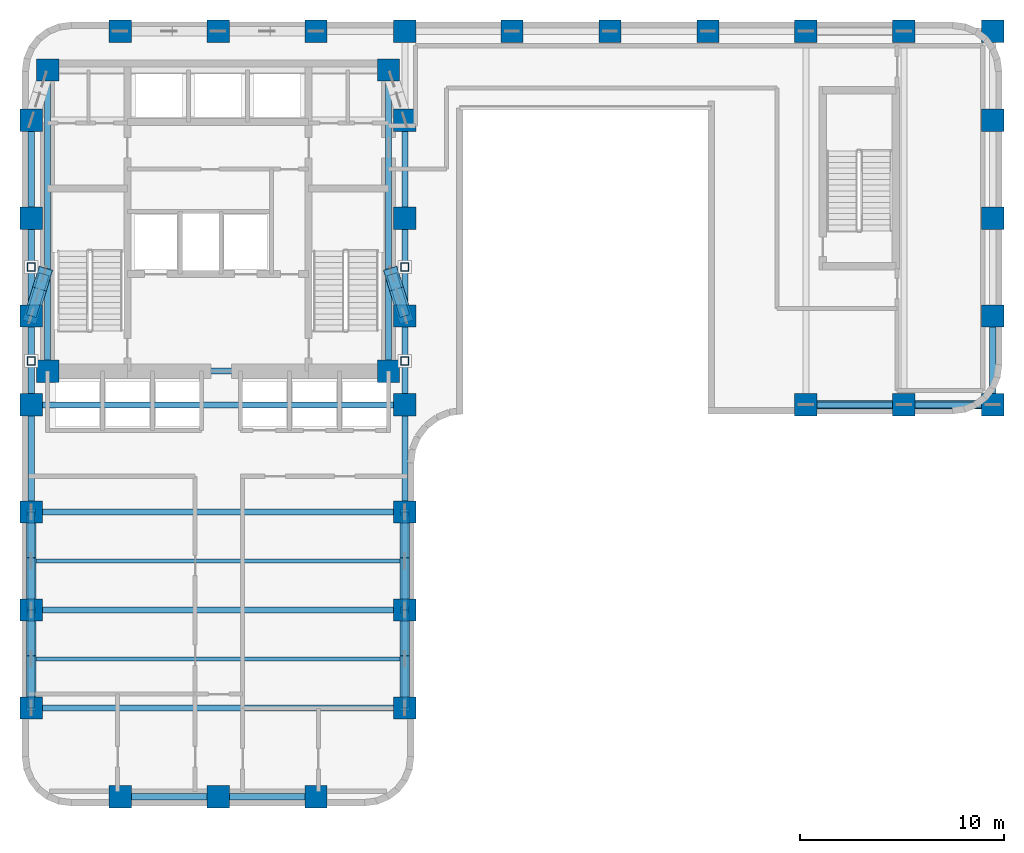
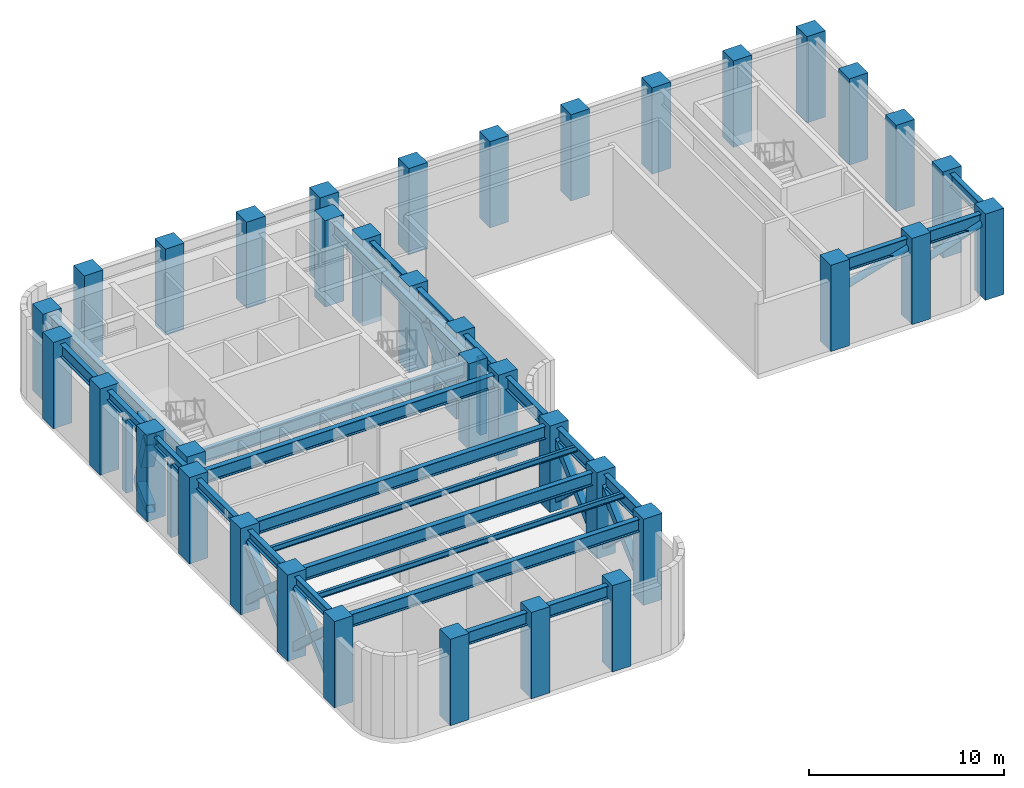
# One storey, part 1 of 9: 37 columns, 28 members, 26 beams.
"""IFC4 building model written with IfcOpenShell, lengths in metres."""

from ifc_helpers import new_model, si_unit, direction, frame, origin, origin_2d, place, context, subcontext, project, spatial, rectangle, hollow_rectangle, hollow_circle, i_section, extrude, material, material_profile, profile_set, type_object, element, save


model = new_model("IFC4")

# Units and contexts
model_context = context("Model", 3, precision=1e-05, world=origin(), true_north=direction((0.0, 1.0)))
body_context = subcontext(model_context, "Body", "Model", "MODEL_VIEW")
ifc_project = project(units=[si_unit("LENGTHUNIT", "METRE"), si_unit("AREAUNIT", "SQUARE_METRE"), si_unit("VOLUMEUNIT", "CUBIC_METRE"), si_unit("PLANEANGLEUNIT", "RADIAN"), si_unit("MASSUNIT", "GRAM", prefix="KILO")], contexts=[model_context])

# Site, building, storey
site_placement = place(None, origin())
site = spatial("IfcSite", under=ifc_project, at=site_placement, CompositionType="ELEMENT")
building_placement = place(site_placement, origin())
building = spatial("IfcBuilding", under=site, at=building_placement, Name="Orvandelia Arch Residences", CompositionType="ELEMENT")
storey_placement = place(building_placement, frame((0.0, 0.0, 101.800048828125)))
storey = spatial("IfcBuildingStorey", under=building, at=storey_placement, Name="L26", CompositionType="ELEMENT", Elevation=101.800048828125)

# Columns
ifc_material_1 = material(Name="Concrete C80/95", Category="concrete")
ifc_material_profile_1 = material_profile(ifc_material_1, rectangle(XDim=1.10009765625, YDim=1.10009765625, at=origin_2d()), Name="Concrete C80/95", Category="concrete")
ifc_profile_set_1 = profile_set([ifc_material_profile_1], Name="Concrete C80/95")
column_type = type_object("IfcColumnType", Name="COL-TWR-1100", PredefinedType="COLUMN", material=ifc_profile_set_1)
for number, where, z_axis, x_axis, name in (
    (1, (5.25, 14.39990234375, 0.0), (0.0, 0.0, 1.0), (1.0, 0.0, 0.0), "Structural Column L26-W-W-144"),
    (2, (5.25, 19.199951171875, 0.0), (0.0, 0.0, 1.0), (1.0, 0.0, 0.0), "Structural Column L26-W-W-192"),
    (3, (5.25, 24.0, 0.0), (0.0, 0.0, 1.0), (1.0, 0.0, 0.0), "Structural Column L26-W-W-240"),
    (4, (5.25, 29.25, 0.0), (0.0, 0.0, 1.0), (1.0, 0.0, 0.0), "Structural Column L26-W-W-292"),
    (5, (5.25, 33.60009765625, 0.0), (0.0, 0.0, 1.0), (1.0, 0.0, 0.0), "Structural Column L26-W-W-336"),
    (6, (5.25, 38.39990234375, 0.0), (0.0, 0.0, 1.0), (1.0, 0.0, 0.0), "Structural Column L26-W-W-384"),
    (7, (5.25, 43.199951171875, 0.0), (0.0, 0.0, 1.0), (1.0, 0.0, 0.0), "Structural Column L26-W-W-432"),
    (8, (6.050048828125, 30.89990234375, 0.0), (0.0, 0.0, 1.0), (1.0, 0.0, 0.0), "Structural Column L26-CR-SW"),
    (9, (6.050048828125, 45.64990234375, 0.0), (0.0, 0.0, 1.0), (1.0, 0.0, 0.0), "Structural Column L26-CR-NW"),
    (10, (9.60009765625, 10.050048828125, 0.0), (0.0, 0.0, 1.0), (1.0, 0.0, 0.0), "Structural Column L26-W-S-96"),
    (11, (9.60009765625, 47.550048828125, 0.0), (0.0, 0.0, 1.0), (1.0, 0.0, 0.0), "Structural Column L26-W-N-96"),
    (12, (14.39990234375, 10.050048828125, 0.0), (0.0, 0.0, 1.0), (1.0, 0.0, 0.0), "Structural Column L26-W-S-144"),
    (13, (14.39990234375, 47.550048828125, 0.0), (0.0, 0.0, 1.0), (1.0, 0.0, 0.0), "Structural Column L26-W-N-144"),
    (14, (19.199951171875, 10.050048828125, 0.0), (0.0, 0.0, 1.0), (1.0, 0.0, 0.0), "Structural Column L26-W-S-192"),
    (15, (19.199951171875, 47.550048828125, 0.0), (0.0, 0.0, 1.0), (1.0, 0.0, 0.0), "Structural Column L26-W-N-192"),
    (16, (22.75, 30.89990234375, 0.0), (0.0, 0.0, 1.0), (1.0, 0.0, 0.0), "Structural Column L26-CR-SE"),
    (17, (22.75, 45.64990234375, 0.0), (0.0, 0.0, 1.0), (1.0, 0.0, 0.0), "Structural Column L26-CR-NE"),
    (18, (23.550048828125, 14.39990234375, 0.0), (0.0, 0.0, 1.0), (1.0, 0.0, 0.0), "Structural Column L26-W-E-144"),
    (19, (23.550048828125, 19.199951171875, 0.0), (0.0, 0.0, 1.0), (1.0, 0.0, 0.0), "Structural Column L26-W-E-192"),
    (20, (23.550048828125, 24.0, 0.0), (0.0, 0.0, 1.0), (1.0, 0.0, 0.0), "Structural Column L26-W-E-240"),
    (21, (23.550048828125, 29.25, 0.0), (0.0, 0.0, 1.0), (1.0, 0.0, 0.0), "Structural Column L26-W-E-292"),
    (22, (23.550048828125, 33.60009765625, 0.0), (0.0, 0.0, 1.0), (1.0, 0.0, 0.0), "Structural Column L26-W-E-336"),
    (23, (23.550048828125, 38.39990234375, 0.0), (0.0, 0.0, 1.0), (1.0, 0.0, 0.0), "Structural Column L26-W-E-384"),
    (24, (23.550048828125, 43.199951171875, 0.0), (0.0, 0.0, 1.0), (1.0, 0.0, 0.0), "Structural Column L26-W-E-432"),
    (25, (23.550048828125, 47.550048828125, 0.0), (0.0, 0.0, 1.0), (1.0, 0.0, 0.0), "Structural Column L26-W-N-235"),
    (26, (28.800048828125, 47.550048828125, 0.0), (0.0, 0.0, 1.0), (1.0, 0.0, 0.0), "Structural Column L26-E-N-288"),
    (27, (33.60009765625, 47.550048828125, 0.0), (0.0, 0.0, 1.0), (1.0, 0.0, 0.0), "Structural Column L26-E-N-336"),
    (28, (38.39990234375, 47.550048828125, 0.0), (0.0, 0.0, 1.0), (1.0, 0.0, 0.0), "Structural Column L26-E-N-384"),
    (29, (43.199951171875, 29.25, 0.0), (0.0, 0.0, 1.0), (1.0, 0.0, 0.0), "Structural Column L26-E-S-432"),
    (30, (43.199951171875, 47.550048828125, 0.0), (0.0, 0.0, 1.0), (1.0, 0.0, 0.0), "Structural Column L26-E-N-432"),
    (31, (48.0, 29.25, 0.0), (0.0, 0.0, 1.0), (1.0, 0.0, 0.0), "Structural Column L26-E-S-480"),
    (32, (48.0, 47.550048828125, 0.0), (0.0, 0.0, 1.0), (1.0, 0.0, 0.0), "Structural Column L26-E-N-480"),
    (33, (52.35009765625, 29.25, 0.0), (0.0, 0.0, 1.0), (1.0, 0.0, 0.0), "Structural Column L26-E-S-523"),
    (34, (52.35009765625, 33.60009765625, 0.0), (0.0, 0.0, 1.0), (1.0, 0.0, 0.0), "Structural Column L26-E-523-336"),
    (35, (52.35009765625, 38.39990234375, 0.0), (0.0, 0.0, 1.0), (1.0, 0.0, 0.0), "Structural Column L26-E-523-384"),
    (36, (52.35009765625, 43.199951171875, 0.0), (0.0, 0.0, 1.0), (1.0, 0.0, 0.0), "Structural Column L26-E-523-432"),
    (37, (52.35009765625, 47.550048828125, 0.0), (0.0, 0.0, 1.0), (1.0, 0.0, 0.0), "Structural Column L26-E-N-523"),
):
    element("IfcColumn", number, at=place(storey_placement, frame(where, z_axis=z_axis, x_axis=x_axis)), inside=storey, type_object=column_type, Name=name, PredefinedType="COLUMN", context=body_context, shape_type="SweptSolid", body=[
        extrude(rectangle(XDim=1.10009765625, YDim=1.10009765625, at=origin_2d()), origin(), (0.0, 0.0, 1.0), 5.39990234375),
    ])

# Beams
ifc_material_2 = material(Name="Structural Steel SM355 (355 MPa)", Category="steel")
ifc_material_profile_2 = material_profile(ifc_material_2, i_section(OverallWidth=0.300048828125, OverallDepth=0.800048828125, WebThickness=0.013916015625, FlangeThickness=0.02587890625, FilletRadius=0.02587890625, at=origin_2d()), Name="Structural Steel SM355 (355 MPa)", Category="steel")
ifc_profile_set_2 = profile_set([ifc_material_profile_2], Name="Structural Steel SM355 (355 MPa)")
beam_type_1 = type_object("IfcBeamType", Name="BM-GRD-H800", PredefinedType="BEAM", material=ifc_profile_set_2)
beam_1_placement = place(storey_placement, frame((5.25, 38.39990234375, 4.760009765625), z_axis=(0.0, 1.0, 0.0), x_axis=(-1.0, 0.0, 0.0)))
element("IfcBeam", 38, at=beam_1_placement, inside=storey, type_object=beam_type_1, Name="Structural Frame Beam L26-NS-006", PredefinedType="BEAM", context=body_context, shape_type="SweptSolid", body=[
    extrude(i_section(OverallWidth=0.300048828125, OverallDepth=0.800048828125, WebThickness=0.013916015625, FlangeThickness=0.02587890625, FilletRadius=0.02587890625, at=origin_2d()), origin(), (0.0, 0.0, 1.0), 4.800048828125),
])
for number, where, z_axis, x_axis, name in (
    (39, (6.050048828125, 30.89990234375, 4.760009765625), (0.0, 1.0, 0.0), (-1.0, 0.0, 0.0), "Structural Frame Beam L26-NS-007"),
    (40, (22.75, 30.89990234375, 4.760009765625), (0.0, 1.0, 0.0), (-1.0, 0.0, 0.0), "Structural Frame Beam L26-NS-008"),
):
    element("IfcBeam", number, at=place(storey_placement, frame(where, z_axis=z_axis, x_axis=x_axis)), inside=storey, type_object=beam_type_1, Name=name, PredefinedType="BEAM", context=body_context, shape_type="SweptSolid", body=[
        extrude(i_section(OverallWidth=0.300048828125, OverallDepth=0.800048828125, WebThickness=0.013916015625, FlangeThickness=0.02587890625, FilletRadius=0.02587890625, at=origin_2d()), origin(), (0.0, 0.0, 1.0), 14.75),
    ])
for number, where, z_axis, x_axis, name in (
    (41, (23.550048828125, 14.39990234375, 4.760009765625), (0.0, 1.0, 0.0), (-1.0, 0.0, 0.0), "Structural Frame Beam L26-NS-009"),
    (42, (23.550048828125, 19.199951171875, 4.760009765625), (0.0, 1.0, 0.0), (-1.0, 0.0, 0.0), "Structural Frame Beam L26-NS-010"),
):
    element("IfcBeam", number, at=place(storey_placement, frame(where, z_axis=z_axis, x_axis=x_axis)), inside=storey, type_object=beam_type_1, Name=name, PredefinedType="BEAM", context=body_context, shape_type="SweptSolid", body=[
        extrude(i_section(OverallWidth=0.300048828125, OverallDepth=0.800048828125, WebThickness=0.013916015625, FlangeThickness=0.02587890625, FilletRadius=0.02587890625, at=origin_2d()), origin(), (0.0, 0.0, 1.0), 4.800048828125),
    ])
beam_2_placement = place(storey_placement, frame((23.550048828125, 24.0, 4.760009765625), z_axis=(0.0, 1.0, 0.0), x_axis=(-1.0, 0.0, 0.0)))
element("IfcBeam", 43, at=beam_2_placement, inside=storey, type_object=beam_type_1, Name="Structural Frame Beam L26-NS-011", PredefinedType="BEAM", context=body_context, shape_type="SweptSolid", body=[
    extrude(i_section(OverallWidth=0.300048828125, OverallDepth=0.800048828125, WebThickness=0.013916015625, FlangeThickness=0.02587890625, FilletRadius=0.02587890625, at=origin_2d()), origin(), (0.0, 0.0, 1.0), 5.25),
])
beam_3_placement = place(storey_placement, frame((23.550048828125, 29.25, 4.760009765625), z_axis=(0.0, 1.0, 0.0), x_axis=(-1.0, 0.0, 0.0)))
element("IfcBeam", 44, at=beam_3_placement, inside=storey, type_object=beam_type_1, Name="Structural Frame Beam L26-NS-012", PredefinedType="BEAM", context=body_context, shape_type="SweptSolid", body=[
    extrude(i_section(OverallWidth=0.300048828125, OverallDepth=0.800048828125, WebThickness=0.013916015625, FlangeThickness=0.02587890625, FilletRadius=0.02587890625, at=origin_2d()), origin(), (0.0, 0.0, 1.0), 4.35009765625),
])
beam_4_placement = place(storey_placement, frame((23.550048828125, 33.60009765625, 4.760009765625), z_axis=(0.0, 1.0, 0.0), x_axis=(-1.0, 0.0, 0.0)))
element("IfcBeam", 45, at=beam_4_placement, inside=storey, type_object=beam_type_1, Name="Structural Frame Beam L26-NS-013", PredefinedType="BEAM", context=body_context, shape_type="SweptSolid", body=[
    extrude(i_section(OverallWidth=0.300048828125, OverallDepth=0.800048828125, WebThickness=0.013916015625, FlangeThickness=0.02587890625, FilletRadius=0.02587890625, at=origin_2d()), origin(), (0.0, 0.0, 1.0), 4.7998046875),
])
beam_5_placement = place(storey_placement, frame((23.550048828125, 38.39990234375, 4.760009765625), z_axis=(0.0, 1.0, 0.0), x_axis=(-1.0, 0.0, 0.0)))
element("IfcBeam", 46, at=beam_5_placement, inside=storey, type_object=beam_type_1, Name="Structural Frame Beam L26-NS-014", PredefinedType="BEAM", context=body_context, shape_type="SweptSolid", body=[
    extrude(i_section(OverallWidth=0.300048828125, OverallDepth=0.800048828125, WebThickness=0.013916015625, FlangeThickness=0.02587890625, FilletRadius=0.02587890625, at=origin_2d()), origin(), (0.0, 0.0, 1.0), 4.800048828125),
])
beam_6_placement = place(storey_placement, frame((52.35009765625, 29.25, 4.760009765625), z_axis=(0.0, 1.0, 0.0), x_axis=(-1.0, 0.0, 0.0)))
element("IfcBeam", 47, at=beam_6_placement, inside=storey, type_object=beam_type_1, Name="Structural Frame Beam L26-NS-018", PredefinedType="BEAM", context=body_context, shape_type="SweptSolid", body=[
    extrude(i_section(OverallWidth=0.300048828125, OverallDepth=0.800048828125, WebThickness=0.013916015625, FlangeThickness=0.02587890625, FilletRadius=0.02587890625, at=origin_2d()), origin(), (0.0, 0.0, 1.0), 4.35009765625),
])
beam_7_placement = place(storey_placement, frame((9.60009765625, 10.050048828125, 4.760009765625), z_axis=(1.0, 0.0, 0.0), x_axis=(0.0, 1.0, 0.0)))
element("IfcBeam", 48, at=beam_7_placement, inside=storey, type_object=beam_type_1, Name="Structural Frame Girder L26-EW-022", PredefinedType="BEAM", context=body_context, shape_type="SweptSolid", body=[
    extrude(i_section(OverallWidth=0.300048828125, OverallDepth=0.800048828125, WebThickness=0.013916015625, FlangeThickness=0.02587890625, FilletRadius=0.02587890625, at=origin_2d()), origin(), (0.0, 0.0, 1.0), 4.7998046875),
])
beam_8_placement = place(storey_placement, frame((14.39990234375, 10.050048828125, 4.760009765625), z_axis=(1.0, 0.0, 0.0), x_axis=(0.0, 1.0, 0.0)))
element("IfcBeam", 49, at=beam_8_placement, inside=storey, type_object=beam_type_1, Name="Structural Frame Girder L26-EW-023", PredefinedType="BEAM", context=body_context, shape_type="SweptSolid", body=[
    extrude(i_section(OverallWidth=0.300048828125, OverallDepth=0.800048828125, WebThickness=0.013916015625, FlangeThickness=0.02587890625, FilletRadius=0.02587890625, at=origin_2d()), origin(), (0.0, 0.0, 1.0), 4.800048828125),
])
for number, where, z_axis, x_axis, name in (
    (50, (5.25, 14.39990234375, 4.760009765625), (1.0, 0.0, 0.0), (0.0, 1.0, 0.0), "Structural Frame Girder L26-EW-024"),
    (51, (5.25, 19.199951171875, 4.760009765625), (1.0, 0.0, 0.0), (0.0, 1.0, 0.0), "Structural Frame Girder L26-EW-025"),
    (52, (5.25, 24.0, 4.760009765625), (1.0, 0.0, 0.0), (0.0, 1.0, 0.0), "Structural Frame Girder L26-EW-026"),
    (53, (5.25, 29.25, 4.760009765625), (1.0, 0.0, 0.0), (0.0, 1.0, 0.0), "Structural Frame Girder L26-EW-027"),
):
    element("IfcBeam", number, at=place(storey_placement, frame(where, z_axis=z_axis, x_axis=x_axis)), inside=storey, type_object=beam_type_1, Name=name, PredefinedType="BEAM", context=body_context, shape_type="SweptSolid", body=[
        extrude(i_section(OverallWidth=0.300048828125, OverallDepth=0.800048828125, WebThickness=0.013916015625, FlangeThickness=0.02587890625, FilletRadius=0.02587890625, at=origin_2d()), origin(), (0.0, 0.0, 1.0), 18.300048828125),
    ])
beam_9_placement = place(storey_placement, frame((43.199951171875, 29.25, 4.760009765625), z_axis=(1.0, 0.0, 0.0), x_axis=(0.0, 1.0, 0.0)))
element("IfcBeam", 54, at=beam_9_placement, inside=storey, type_object=beam_type_1, Name="Structural Frame Girder L26-EW-028", PredefinedType="BEAM", context=body_context, shape_type="SweptSolid", body=[
    extrude(i_section(OverallWidth=0.300048828125, OverallDepth=0.800048828125, WebThickness=0.013916015625, FlangeThickness=0.02587890625, FilletRadius=0.02587890625, at=origin_2d()), origin(), (0.0, 0.0, 1.0), 4.800048828125),
])
beam_10_placement = place(storey_placement, frame((48.0, 29.25, 4.760009765625), z_axis=(1.0, 0.0, 0.0), x_axis=(0.0, 1.0, 0.0)))
element("IfcBeam", 55, at=beam_10_placement, inside=storey, type_object=beam_type_1, Name="Structural Frame Girder L26-EW-029", PredefinedType="BEAM", context=body_context, shape_type="SweptSolid", body=[
    extrude(i_section(OverallWidth=0.300048828125, OverallDepth=0.800048828125, WebThickness=0.013916015625, FlangeThickness=0.02587890625, FilletRadius=0.02587890625, at=origin_2d()), origin(), (0.0, 0.0, 1.0), 4.35009765625),
])
beam_11_placement = place(storey_placement, frame((6.050048828125, 30.89990234375, 4.760009765625), z_axis=(1.0, 0.0, 0.0), x_axis=(0.0, 1.0, 0.0)))
element("IfcBeam", 56, at=beam_11_placement, inside=storey, type_object=beam_type_1, Name="Structural Frame Girder L26-EW-030", PredefinedType="BEAM", context=body_context, shape_type="SweptSolid", body=[
    extrude(i_section(OverallWidth=0.300048828125, OverallDepth=0.800048828125, WebThickness=0.013916015625, FlangeThickness=0.02587890625, FilletRadius=0.02587890625, at=origin_2d()), origin(), (0.0, 0.0, 1.0), 16.699951171875),
])
ifc_material_profile_3 = material_profile(ifc_material_2, i_section(OverallWidth=0.175048828125, OverallDepth=0.35009765625, WebThickness=0.007080078125, FlangeThickness=0.010986328125, FilletRadius=0.012939453125, at=origin_2d()), Name="Structural Steel SM355 (355 MPa)", Category="steel")
ifc_profile_set_3 = profile_set([ifc_material_profile_3], Name="Structural Steel SM355 (355 MPa)")
beam_type_2 = type_object("IfcBeamType", Name="BM-JST-H350", PredefinedType="JOIST", material=ifc_profile_set_3)
for number, where, z_axis, x_axis, name in (
    (57, (5.25, 16.800048828125, 4.98486328125), (1.0, 0.0, 0.0), (0.0, 1.0, 0.0), "Composite Floor Joist L26-J1"),
    (58, (5.25, 21.60009765625, 4.98486328125), (1.0, 0.0, 0.0), (0.0, 1.0, 0.0), "Composite Floor Joist L26-J2"),
):
    element("IfcBeam", number, at=place(storey_placement, frame(where, z_axis=z_axis, x_axis=x_axis)), inside=storey, type_object=beam_type_2, Name=name, PredefinedType="JOIST", context=body_context, shape_type="SweptSolid", body=[
        extrude(i_section(OverallWidth=0.175048828125, OverallDepth=0.35009765625, WebThickness=0.007080078125, FlangeThickness=0.010986328125, FilletRadius=0.012939453125, at=origin_2d()), origin(), (0.0, 0.0, 1.0), 18.300048828125),
    ])
ifc_material_profile_4 = material_profile(ifc_material_2, i_section(OverallWidth=0.300048828125, OverallDepth=0.587890625, WebThickness=0.011962890625, FlangeThickness=0.02001953125, FilletRadius=0.02197265625, at=origin_2d()), Name="Structural Steel SM355 (355 MPa)", Category="steel")
ifc_profile_set_4 = profile_set([ifc_material_profile_4], Name="Structural Steel SM355 (355 MPa)")
beam_type_3 = type_object("IfcBeamType", Name="BM-SPN-H588", PredefinedType="SPANDREL", material=ifc_profile_set_4)
for number, where, z_axis, x_axis, name in (
    (59, (5.25, 14.39990234375, 4.865966796875), (0.0, 1.0, 0.0), (-1.0, 0.0, 0.0), "Structural Frame Beam L26-NS-001"),
    (60, (5.25, 19.199951171875, 4.865966796875), (0.0, 1.0, 0.0), (-1.0, 0.0, 0.0), "Structural Frame Beam L26-NS-002"),
):
    element("IfcBeam", number, at=place(storey_placement, frame(where, z_axis=z_axis, x_axis=x_axis)), inside=storey, type_object=beam_type_3, Name=name, PredefinedType="SPANDREL", context=body_context, shape_type="SweptSolid", body=[
        extrude(i_section(OverallWidth=0.300048828125, OverallDepth=0.587890625, WebThickness=0.011962890625, FlangeThickness=0.02001953125, FilletRadius=0.02197265625, at=origin_2d()), origin(), (0.0, 0.0, 1.0), 4.800048828125),
    ])
beam_12_placement = place(storey_placement, frame((5.25, 24.0, 4.865966796875), z_axis=(0.0, 1.0, 0.0), x_axis=(-1.0, 0.0, 0.0)))
element("IfcBeam", 61, at=beam_12_placement, inside=storey, type_object=beam_type_3, Name="Structural Frame Beam L26-NS-003", PredefinedType="SPANDREL", context=body_context, shape_type="SweptSolid", body=[
    extrude(i_section(OverallWidth=0.300048828125, OverallDepth=0.587890625, WebThickness=0.011962890625, FlangeThickness=0.02001953125, FilletRadius=0.02197265625, at=origin_2d()), origin(), (0.0, 0.0, 1.0), 5.25),
])
beam_13_placement = place(storey_placement, frame((5.25, 29.25, 4.865966796875), z_axis=(0.0, 1.0, 0.0), x_axis=(-1.0, 0.0, 0.0)))
element("IfcBeam", 62, at=beam_13_placement, inside=storey, type_object=beam_type_3, Name="Structural Frame Beam L26-NS-004", PredefinedType="SPANDREL", context=body_context, shape_type="SweptSolid", body=[
    extrude(i_section(OverallWidth=0.300048828125, OverallDepth=0.587890625, WebThickness=0.011962890625, FlangeThickness=0.02001953125, FilletRadius=0.02197265625, at=origin_2d()), origin(), (0.0, 0.0, 1.0), 4.35009765625),
])
beam_14_placement = place(storey_placement, frame((5.25, 33.60009765625, 4.865966796875), z_axis=(0.0, 1.0, 0.0), x_axis=(-1.0, 0.0, 0.0)))
element("IfcBeam", 63, at=beam_14_placement, inside=storey, type_object=beam_type_3, Name="Structural Frame Beam L26-NS-005", PredefinedType="SPANDREL", context=body_context, shape_type="SweptSolid", body=[
    extrude(i_section(OverallWidth=0.300048828125, OverallDepth=0.587890625, WebThickness=0.011962890625, FlangeThickness=0.02001953125, FilletRadius=0.02197265625, at=origin_2d()), origin(), (0.0, 0.0, 1.0), 4.7998046875),
])

# Members
ifc_material_3 = material(Name="Structural Steel HSA650 (650 MPa)", Category="steel")
ifc_material_profile_5 = material_profile(ifc_material_3, hollow_rectangle(XDim=0.449951171875, YDim=0.449951171875, WallThickness=0.02490234375, at=origin_2d()), Name="Structural Steel HSA650 (650 MPa)", Category="steel")
ifc_profile_set_5 = profile_set([ifc_material_profile_5], Name="Structural Steel HSA650 (650 MPa)")
member_type_1 = type_object("IfcMemberType", Name="MBR-BELT-DIAG", PredefinedType="BRACE", material=ifc_profile_set_5)
member_1_placement = place(storey_placement, frame((5.25, 14.39990234375, 0.300048828125), z_axis=(0.0, 0.736399637539, 0.676546800919), x_axis=(-1.0, 0.0, 0.0)))
element("IfcMember", 64, at=member_1_placement, inside=storey, type_object=member_type_1, Name="Perimeter Belt Truss Diagonal L26-BW-1-1", PredefinedType="BRACE", context=body_context, shape_type="SweptSolid", body=[
    extrude(hollow_rectangle(XDim=0.449951171875, YDim=0.449951171875, WallThickness=0.02490234375, at=origin_2d()), origin(), (0.0, 0.0, 1.0), 6.518310546875),
])
member_2_placement = place(storey_placement, frame((5.25, 19.199951171875, 0.300048828125), z_axis=(0.0, -0.73638831936, 0.676559120189), x_axis=(1.0, 0.0, 0.0)))
element("IfcMember", 65, at=member_2_placement, inside=storey, type_object=member_type_1, Name="Perimeter Belt Truss Split Diagonal Lower L26-BW-1-2A", PredefinedType="BRACE", context=body_context, shape_type="SweptSolid", body=[
    extrude(hollow_rectangle(XDim=0.449951171875, YDim=0.449951171875, WallThickness=0.02490234375, at=origin_2d()), origin(), (0.0, 0.0, 1.0), 3.244140625),
])
member_3_placement = place(storey_placement, frame((5.25, 16.7890625, 2.51513671875), z_axis=(0.0, -0.736422763985, 0.676521627655), x_axis=(1.0, 0.0, 0.0)))
element("IfcMember", 66, at=member_3_placement, inside=storey, type_object=member_type_1, Name="Perimeter Belt Truss Split Diagonal Upper L26-BW-1-2B", PredefinedType="BRACE", context=body_context, shape_type="SweptSolid", body=[
    extrude(hollow_rectangle(XDim=0.449951171875, YDim=0.449951171875, WallThickness=0.02490234375, at=origin_2d()), origin(), (0.0, 0.0, 1.0), 3.244384765625),
])
member_4_placement = place(storey_placement, frame((5.25, 19.199951171875, 0.300048828125), z_axis=(0.0, 0.736399637539, 0.676546800919), x_axis=(-1.0, 0.0, 0.0)))
element("IfcMember", 67, at=member_4_placement, inside=storey, type_object=member_type_1, Name="Perimeter Belt Truss Diagonal L26-BW-2-1", PredefinedType="BRACE", context=body_context, shape_type="SweptSolid", body=[
    extrude(hollow_rectangle(XDim=0.449951171875, YDim=0.449951171875, WallThickness=0.02490234375, at=origin_2d()), origin(), (0.0, 0.0, 1.0), 6.518310546875),
])
member_5_placement = place(storey_placement, frame((5.25, 24.0, 0.300048828125), z_axis=(0.0, -0.73638831936, 0.676559120189), x_axis=(1.0, 0.0, 0.0)))
element("IfcMember", 68, at=member_5_placement, inside=storey, type_object=member_type_1, Name="Perimeter Belt Truss Split Diagonal Lower L26-BW-2-2A", PredefinedType="BRACE", context=body_context, shape_type="SweptSolid", body=[
    extrude(hollow_rectangle(XDim=0.449951171875, YDim=0.449951171875, WallThickness=0.02490234375, at=origin_2d()), origin(), (0.0, 0.0, 1.0), 3.244140625),
])
member_6_placement = place(storey_placement, frame((5.25, 21.589111328125, 2.51513671875), z_axis=(0.0, -0.736422763985, 0.676521627655), x_axis=(1.0, 0.0, 0.0)))
element("IfcMember", 69, at=member_6_placement, inside=storey, type_object=member_type_1, Name="Perimeter Belt Truss Split Diagonal Upper L26-BW-2-2B", PredefinedType="BRACE", context=body_context, shape_type="SweptSolid", body=[
    extrude(hollow_rectangle(XDim=0.449951171875, YDim=0.449951171875, WallThickness=0.02490234375, at=origin_2d()), origin(), (0.0, 0.0, 1.0), 3.244384765625),
])
member_7_placement = place(storey_placement, frame((23.550048828125, 14.39990234375, 0.300048828125), z_axis=(0.0, 0.736399637539, 0.676546800919), x_axis=(-1.0, 0.0, 0.0)))
element("IfcMember", 70, at=member_7_placement, inside=storey, type_object=member_type_1, Name="Perimeter Belt Truss Diagonal L26-BE-1-1", PredefinedType="BRACE", context=body_context, shape_type="SweptSolid", body=[
    extrude(hollow_rectangle(XDim=0.449951171875, YDim=0.449951171875, WallThickness=0.02490234375, at=origin_2d()), origin(), (0.0, 0.0, 1.0), 6.518310546875),
])
member_8_placement = place(storey_placement, frame((23.550048828125, 19.199951171875, 0.300048828125), z_axis=(0.0, -0.73638831936, 0.676559120189), x_axis=(1.0, 0.0, 0.0)))
element("IfcMember", 71, at=member_8_placement, inside=storey, type_object=member_type_1, Name="Perimeter Belt Truss Split Diagonal Lower L26-BE-1-2A", PredefinedType="BRACE", context=body_context, shape_type="SweptSolid", body=[
    extrude(hollow_rectangle(XDim=0.449951171875, YDim=0.449951171875, WallThickness=0.02490234375, at=origin_2d()), origin(), (0.0, 0.0, 1.0), 3.244140625),
])
member_9_placement = place(storey_placement, frame((23.550048828125, 16.7890625, 2.51513671875), z_axis=(0.0, -0.736422763985, 0.676521627655), x_axis=(1.0, 0.0, 0.0)))
element("IfcMember", 72, at=member_9_placement, inside=storey, type_object=member_type_1, Name="Perimeter Belt Truss Split Diagonal Upper L26-BE-1-2B", PredefinedType="BRACE", context=body_context, shape_type="SweptSolid", body=[
    extrude(hollow_rectangle(XDim=0.449951171875, YDim=0.449951171875, WallThickness=0.02490234375, at=origin_2d()), origin(), (0.0, 0.0, 1.0), 3.244384765625),
])
member_10_placement = place(storey_placement, frame((23.550048828125, 19.199951171875, 0.300048828125), z_axis=(0.0, 0.736399637539, 0.676546800919), x_axis=(-1.0, 0.0, 0.0)))
element("IfcMember", 73, at=member_10_placement, inside=storey, type_object=member_type_1, Name="Perimeter Belt Truss Diagonal L26-BE-2-1", PredefinedType="BRACE", context=body_context, shape_type="SweptSolid", body=[
    extrude(hollow_rectangle(XDim=0.449951171875, YDim=0.449951171875, WallThickness=0.02490234375, at=origin_2d()), origin(), (0.0, 0.0, 1.0), 6.518310546875),
])
member_11_placement = place(storey_placement, frame((23.550048828125, 24.0, 0.300048828125), z_axis=(0.0, -0.73638831936, 0.676559120189), x_axis=(1.0, 0.0, 0.0)))
element("IfcMember", 74, at=member_11_placement, inside=storey, type_object=member_type_1, Name="Perimeter Belt Truss Split Diagonal Lower L26-BE-2-2A", PredefinedType="BRACE", context=body_context, shape_type="SweptSolid", body=[
    extrude(hollow_rectangle(XDim=0.449951171875, YDim=0.449951171875, WallThickness=0.02490234375, at=origin_2d()), origin(), (0.0, 0.0, 1.0), 3.244140625),
])
member_12_placement = place(storey_placement, frame((23.550048828125, 21.589111328125, 2.51513671875), z_axis=(0.0, -0.736422763985, 0.676521627655), x_axis=(1.0, 0.0, 0.0)))
element("IfcMember", 75, at=member_12_placement, inside=storey, type_object=member_type_1, Name="Perimeter Belt Truss Split Diagonal Upper L26-BE-2-2B", PredefinedType="BRACE", context=body_context, shape_type="SweptSolid", body=[
    extrude(hollow_rectangle(XDim=0.449951171875, YDim=0.449951171875, WallThickness=0.02490234375, at=origin_2d()), origin(), (0.0, 0.0, 1.0), 3.244384765625),
])
ifc_material_profile_6 = material_profile(ifc_material_2, hollow_rectangle(XDim=0.39990234375, YDim=0.39990234375, WallThickness=0.02197265625, at=origin_2d()), Name="Structural Steel SM355 (355 MPa)", Category="steel")
ifc_profile_set_6 = profile_set([ifc_material_profile_6], Name="Structural Steel SM355 (355 MPa)")
member_type_2 = type_object("IfcMemberType", Name="MBR-BELT-POST", PredefinedType="POST", material=ifc_profile_set_6)
for number, where, z_axis, x_axis, name in (
    (76, (5.25, 31.39990234375, 0.0), (0.0, 0.0, 1.0), (1.0, 0.0, 0.0), "Belt Truss Vertical Post L26-BPW-1"),
    (77, (5.25, 36.0, 0.0), (0.0, 0.0, 1.0), (1.0, 0.0, 0.0), "Belt Truss Vertical Post L26-BPW-2"),
    (78, (23.550048828125, 31.39990234375, 0.0), (0.0, 0.0, 1.0), (1.0, 0.0, 0.0), "Belt Truss Vertical Post L26-BPE-1"),
    (79, (23.550048828125, 36.0, 0.0), (0.0, 0.0, 1.0), (1.0, 0.0, 0.0), "Belt Truss Vertical Post L26-BPE-2"),
):
    element("IfcMember", number, at=place(storey_placement, frame(where, z_axis=z_axis, x_axis=x_axis)), inside=storey, type_object=member_type_2, Name=name, PredefinedType="POST", context=body_context, shape_type="SweptSolid", body=[
        extrude(hollow_rectangle(XDim=0.39990234375, YDim=0.39990234375, WallThickness=0.02197265625, at=origin_2d()), origin(), (0.0, 0.0, 1.0), 4.7099609375),
    ])
ifc_material_profile_7 = material_profile(ifc_material_3, hollow_circle(Radius=0.203125, WallThickness=0.01611328125, at=origin_2d()), Name="Structural Steel HSA650 (650 MPa)", Category="steel")
ifc_profile_set_7 = profile_set([ifc_material_profile_7], Name="Structural Steel HSA650 (650 MPa)")
member_type_3 = type_object("IfcMemberType", Name="MBR-NOTCH-STRUT", PredefinedType="STRUT", material=ifc_profile_set_7)
member_13_placement = place(storey_placement, frame((43.199951171875, 29.25, 3.199951171875), z_axis=(0.956725136508, 0.0, 0.290993149703), x_axis=(0.0, 1.0, 0.0)))
element("IfcMember", 80, at=member_13_placement, inside=storey, type_object=member_type_3, Name="Faceted Sky-Garden Soffit Strut L26-1", PredefinedType="STRUT", context=body_context, shape_type="SweptSolid", body=[
    extrude(hollow_circle(Radius=0.203125, WallThickness=0.01611328125, at=origin_2d()), origin(), (0.0, 0.0, 1.0), 5.01708984375),
])
member_14_placement = place(storey_placement, frame((48.0, 29.25, 3.199951171875), z_axis=(0.948032180934, 0.0, 0.318174455157), x_axis=(0.0, 1.0, 0.0)))
element("IfcMember", 81, at=member_14_placement, inside=storey, type_object=member_type_3, Name="Faceted Sky-Garden Soffit Strut L26-2", PredefinedType="STRUT", context=body_context, shape_type="SweptSolid", body=[
    extrude(hollow_circle(Radius=0.203125, WallThickness=0.01611328125, at=origin_2d()), origin(), (0.0, 0.0, 1.0), 4.588623046875),
])
ifc_material_profile_8 = material_profile(ifc_material_3, hollow_rectangle(XDim=0.5, YDim=0.5, WallThickness=0.028076171875, at=origin_2d()), Name="Structural Steel HSA650 (650 MPa)", Category="steel")
ifc_profile_set_8 = profile_set([ifc_material_profile_8], Name="Structural Steel HSA650 (650 MPa)")
member_type_4 = type_object("IfcMemberType", Name="MBR-OUTRIGGER-CHORD", PredefinedType="CHORD", material=ifc_profile_set_8)
for number, where, z_axis, x_axis, name in (
    (82, (5.25, 33.60009765625, 0.300048828125), (0.293733816022, 0.955887255551, 0.0), (-0.955887255551, 0.293733816022, 0.0), "Outrigger Bottom Chord L26-OW-S"),
    (83, (5.25, 33.60009765625, 4.7099609375), (0.293733816022, 0.955887255551, 0.0), (-0.955887255551, 0.293733816022, 0.0), "Outrigger Top Chord L26-OW-S"),
):
    element("IfcMember", number, at=place(storey_placement, frame(where, z_axis=z_axis, x_axis=x_axis)), inside=storey, type_object=member_type_4, Name=name, PredefinedType="CHORD", context=body_context, shape_type="SweptSolid", body=[
        extrude(hollow_rectangle(XDim=0.5, YDim=0.5, WallThickness=0.028076171875, at=origin_2d()), origin(), (0.0, 0.0, 1.0), 2.144287109375),
    ])
for number, where, z_axis, x_axis, name in (
    (84, (23.550048828125, 33.60009765625, 0.300048828125), (-0.293837838165, 0.955855284477, 0.0), (-0.955855284477, -0.293837838165, 0.0), "Outrigger Bottom Chord L26-OE-S"),
    (85, (23.550048828125, 33.60009765625, 4.7099609375), (-0.293837838165, 0.955855284477, 0.0), (-0.955855284477, -0.293837838165, 0.0), "Outrigger Top Chord L26-OE-S"),
):
    element("IfcMember", number, at=place(storey_placement, frame(where, z_axis=z_axis, x_axis=x_axis)), inside=storey, type_object=member_type_4, Name=name, PredefinedType="CHORD", context=body_context, shape_type="SweptSolid", body=[
        extrude(hollow_rectangle(XDim=0.5, YDim=0.5, WallThickness=0.028076171875, at=origin_2d()), origin(), (0.0, 0.0, 1.0), 2.14453125),
    ])
ifc_material_profile_9 = material_profile(ifc_material_3, hollow_rectangle(XDim=0.699951171875, YDim=0.699951171875, WallThickness=0.0400390625, at=origin_2d()), Name="Structural Steel HSA650 (650 MPa)", Category="steel")
ifc_profile_set_9 = profile_set([ifc_material_profile_9], Name="Structural Steel HSA650 (650 MPa)")
member_type_5 = type_object("IfcMemberType", Name="MBR-OUTRIGGER-DIAG", PredefinedType="BRACE", material=ifc_profile_set_9)
member_15_placement = place(storey_placement, frame((5.25, 33.60009765625, 0.349853515625), z_axis=(0.1308426572, 0.425796492192, 0.895308631866), x_axis=(-0.955887255551, 0.293733816022, 0.0)))
element("IfcMember", 86, at=member_15_placement, inside=storey, type_object=member_type_5, Name="Outrigger Web Diagonal L26-OW-S-1", PredefinedType="BRACE", context=body_context, shape_type="SweptSolid", body=[
    extrude(hollow_rectangle(XDim=0.699951171875, YDim=0.699951171875, WallThickness=0.0400390625, at=origin_2d()), origin(), (0.0, 0.0, 1.0), 4.81396484375),
])
for number, where, z_axis, x_axis, name in (
    (87, (5.8798828125, 35.64990234375, 0.349853515625), (-0.130845558874, -0.425809416241, 0.895302061186), (0.955887929818, -0.293731621771, 0.0), "Outrigger Split Diagonal Lower L26-OW-S-2A"),
    (88, (5.56298828125, 34.61865234375, 2.518310546875), (-0.130845558874, -0.425809416241, 0.895302061186), (0.955887929818, -0.293731621771, 0.0), "Outrigger Split Diagonal Upper L26-OW-S-2B"),
):
    element("IfcMember", number, at=place(storey_placement, frame(where, z_axis=z_axis, x_axis=x_axis)), inside=storey, type_object=member_type_5, Name=name, PredefinedType="BRACE", context=body_context, shape_type="SweptSolid", body=[
        extrude(hollow_rectangle(XDim=0.699951171875, YDim=0.699951171875, WallThickness=0.0400390625, at=origin_2d()), origin(), (0.0, 0.0, 1.0), 2.39208984375),
    ])
member_16_placement = place(storey_placement, frame((23.550048828125, 33.60009765625, 0.349853515625), z_axis=(-0.130892502695, 0.425793666265, 0.89530268988), x_axis=(-0.955855284477, -0.293837838165, 0.0)))
element("IfcMember", 89, at=member_16_placement, inside=storey, type_object=member_type_5, Name="Outrigger Web Diagonal L26-OE-S-1", PredefinedType="BRACE", context=body_context, shape_type="SweptSolid", body=[
    extrude(hollow_rectangle(XDim=0.699951171875, YDim=0.699951171875, WallThickness=0.0400390625, at=origin_2d()), origin(), (0.0, 0.0, 1.0), 4.81396484375),
])
for number, where, z_axis, x_axis, name in (
    (90, (22.919921875, 35.64990234375, 0.349853515625), (0.130845558874, -0.425809416241, 0.895302061186), (0.955887929818, 0.293731621771, 0.0), "Outrigger Split Diagonal Lower L26-OE-S-2A"),
    (91, (23.237060546875, 34.61865234375, 2.518310546875), (0.130845558874, -0.425809416241, 0.895302061186), (0.955887929818, 0.293731621771, 0.0), "Outrigger Split Diagonal Upper L26-OE-S-2B"),
):
    element("IfcMember", number, at=place(storey_placement, frame(where, z_axis=z_axis, x_axis=x_axis)), inside=storey, type_object=member_type_5, Name=name, PredefinedType="BRACE", context=body_context, shape_type="SweptSolid", body=[
        extrude(hollow_rectangle(XDim=0.699951171875, YDim=0.699951171875, WallThickness=0.0400390625, at=origin_2d()), origin(), (0.0, 0.0, 1.0), 2.39208984375),
    ])

save(model, "model.ifc")
